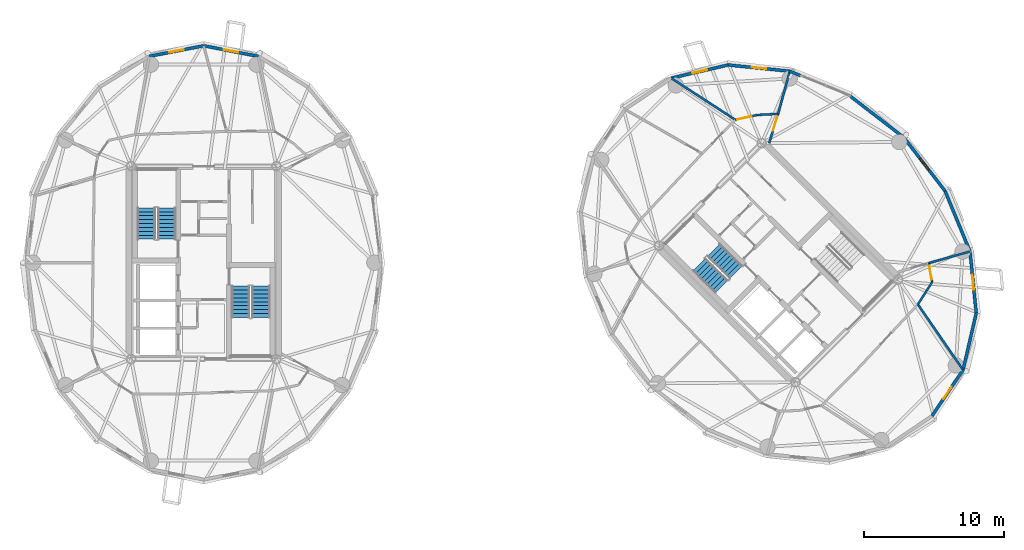
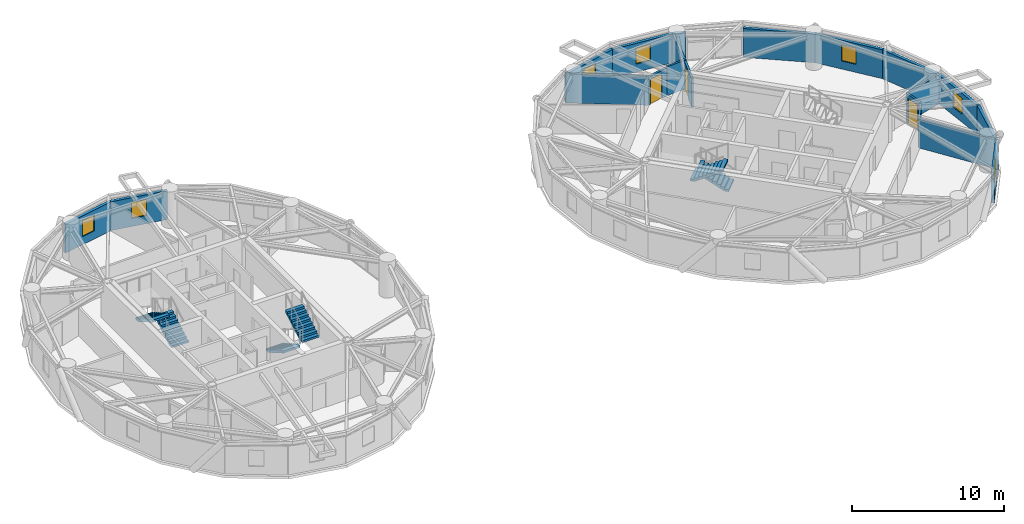
# One storey, part 13 of 16: 20 walls, 7 windows, 6 stair flights, 3 doors, 10 openings, 3 elements without a shape of their own.
"""IFC4 building model written with IfcOpenShell, lengths in metres."""

from ifc_helpers import new_model, si_unit, direction, frame, frame_2d, origin, place, context, subcontext, project, spatial, polyline, rectangle, outline, extrude, source, transform, mapped, material, layer, layer_set, type_object, element, fill, aggregate, save


model = new_model("IFC4")

# Units and contexts
model_context = context("Model", 3, precision=1e-05, world=origin(), true_north=direction((0.0, 1.0)))
body_context = subcontext(model_context, "Body", "Model", "MODEL_VIEW")
ifc_project = project(units=[si_unit("LENGTHUNIT", "METRE"), si_unit("AREAUNIT", "SQUARE_METRE"), si_unit("VOLUMEUNIT", "CUBIC_METRE"), si_unit("PLANEANGLEUNIT", "RADIAN"), si_unit("MASSUNIT", "GRAM", prefix="KILO")], contexts=[model_context])

# Site, building, storey
site_placement = place(None, origin())
site = spatial("IfcSite", under=ifc_project, at=site_placement, CompositionType="ELEMENT")
building_placement = place(site_placement, origin())
building = spatial("IfcBuilding", under=site, at=building_placement, Name="Cununo Teusaquillo Station Towers", CompositionType="ELEMENT")
storey_placement = place(building_placement, frame((0.0, 0.0, 211.2099609375)))
storey = spatial("IfcBuildingStorey", under=building, at=storey_placement, Name="L67", CompositionType="ELEMENT", Elevation=211.2099609375)

# Wall, opening, window
ifc_material_1 = material(Name="Precast concrete C40/50", Category="concrete")
ifc_layer_1 = layer(ifc_material_1, 0.219970703125)
ifc_layer_set_1 = layer_set([ifc_layer_1], Name="Precast concrete C40/50")
wall_type_1 = type_object("IfcWallType", Name="WL-EXT-220", PredefinedType="SOLIDWALL", material=ifc_layer_set_1)
wall_1_placement = place(storey_placement, frame((16.5, 39.969970703125, 0.0), z_axis=(0.0, 0.0, 1.0), x_axis=(0.981700307484, -0.190432419211, 0.0)))
wall_1 = element("IfcWall", 1, at=wall_1_placement, inside=storey, type_object=wall_type_1, Name="L67 Tower A Exterior Facade Wall C04", PredefinedType="SOLIDWALL", context=body_context, shape_type="SweptSolid", body=[
    extrude(rectangle(XDim=3.9755859375, YDim=0.219970703125, at=frame_2d((1.98779296875, 0.0))), origin(), (0.0, 0.0, 1.0), 2.322021484375),
])
shared_shape_1 = source(origin(), body_context, "Body", "SweptSolid", [
    extrude(rectangle(XDim=1.050048828125, YDim=1.300048828125, at=frame_2d((0.52490234375, 0.64990234375))), frame((0.0, 0.119873046875, 0.0), z_axis=(0.0, -1.0, 0.0), x_axis=(1.0, 0.0, 0.0)), (0.0, 0.0, 1.0), 0.239990234375),
])
opening_1_placement = place(wall_1_placement, frame((1.462890625, 0.0, 0.64990234375)))
opening_1 = element("IfcOpeningElement", 2, at=opening_1_placement, cuts=wall_1, Name="Opening WN-04", PredefinedType="OPENING", context=body_context, shape_type="MappedRepresentation", body=[
    mapped(shared_shape_1, transform((0.0, 0.0, 0.0), x_axis=(1.0, 0.0, 0.0), y_axis=(0.0, 1.0, 0.0), z_axis=(0.0, 0.0, 1.0), scale=1.0)),
])
ifc_material_2 = material(Name="Operable acoustic tinted low-E double glazing", Category="glass")
window_type = type_object("IfcWindowType", Name="WIN-BAL-1050", PartitioningType="SINGLE_PANEL", PredefinedType="WINDOW", material=ifc_material_2)
shared_shape_2 = source(origin(), body_context, "Body", "SweptSolid", [
    extrude(rectangle(XDim=1.050048828125, YDim=1.300048828125, at=frame_2d((0.52490234375, 0.64990234375))), frame((0.0, 0.030029296875, 0.0), z_axis=(0.0, -1.0, 0.0), x_axis=(1.0, 0.0, 0.0)), (0.0, 0.0, 1.0), 0.06005859375),
])
window_1_placement = place(opening_1_placement, origin())
window_1 = element("IfcWindow", 3, at=window_1_placement, inside=storey, type_object=window_type, Name="L67 Tower A Facade Window C04", OverallHeight=1.300048828125, OverallWidth=1.050048828125, PartitioningType="SINGLE_PANEL", PredefinedType="WINDOW", context=body_context, shape_type="MappedRepresentation", body=[
    mapped(shared_shape_2, transform((0.0, 0.0, 0.0), x_axis=(1.0, 0.0, 0.0), y_axis=(0.0, 1.0, 0.0), z_axis=(0.0, 0.0, 1.0), scale=1.0)),
])
fill(opening_1, window_1)

wall_2_placement = place(storey_placement, frame((12.59716796875, 39.212890625, 0.0), z_axis=(0.0, 0.0, 1.0), x_axis=(0.981700307484, 0.190432419211, 0.0)))
wall_2 = element("IfcWall", 4, at=wall_2_placement, inside=storey, type_object=wall_type_1, Name="L67 Tower A Exterior Facade Wall C05", PredefinedType="SOLIDWALL", context=body_context, shape_type="SweptSolid", body=[
    extrude(rectangle(XDim=3.9755859375, YDim=0.219970703125, at=frame_2d((1.98779296875, 0.0))), origin(), (0.0, 0.0, 1.0), 2.322021484375),
])
opening_2_placement = place(wall_2_placement, frame((1.462890625, 0.0, 0.64990234375)))
opening_2 = element("IfcOpeningElement", 5, at=opening_2_placement, cuts=wall_2, Name="Opening WN-04", PredefinedType="OPENING", context=body_context, shape_type="MappedRepresentation", body=[
    mapped(shared_shape_1, transform((0.0, 0.0, 0.0), x_axis=(1.0, 0.0, 0.0), y_axis=(0.0, 1.0, 0.0), z_axis=(0.0, 0.0, 1.0), scale=1.0)),
])
window_2_placement = place(opening_2_placement, origin())
window_2 = element("IfcWindow", 6, at=window_2_placement, inside=storey, type_object=window_type, Name="L67 Tower A Facade Window C05", OverallHeight=1.300048828125, OverallWidth=1.050048828125, PartitioningType="SINGLE_PANEL", PredefinedType="WINDOW", context=body_context, shape_type="MappedRepresentation", body=[
    mapped(shared_shape_2, transform((0.0, 0.0, 0.0), x_axis=(1.0, 0.0, 0.0), y_axis=(0.0, 1.0, 0.0), z_axis=(0.0, 0.0, 1.0), scale=1.0)),
])
fill(opening_2, window_2)

# Walls
wall_3_placement = place(storey_placement, frame((62.61328125, 36.373779296875, 0.0), z_axis=(0.0, 0.0, 1.0), x_axis=(0.791998462147, -0.610523083886, 0.0)))
element("IfcWall", 7, at=wall_3_placement, inside=storey, type_object=wall_type_1, Name="L67 Tower B Exterior Facade Wall C00", PredefinedType="SOLIDWALL", context=body_context, shape_type="SweptSolid", body=[
    extrude(rectangle(XDim=4.8203125, YDim=0.219970703125, at=frame_2d((2.41015625, 0.0))), origin(), (0.0, 0.0, 1.0), 2.322021484375),
])
wall_4_placement = place(storey_placement, frame((58.29541015625, 38.15478515625, 0.0), z_axis=(0.0, 0.0, 1.0), x_axis=(0.924515260676, -0.381145028536, 0.0)))
element("IfcWall", 8, at=wall_4_placement, inside=storey, type_object=wall_type_1, Name="L67 Tower B Column Pier Cladding Wall C01-PA", PredefinedType="SOLIDWALL", context=body_context, shape_type="SweptSolid", body=[
    extrude(rectangle(XDim=0.869873046875, YDim=0.219970703125, at=frame_2d((0.43505859375, 0.0))), origin(), (0.0, 0.0, 1.0), 2.322021484375),
])

# Wall, opening, window
wall_5_placement = place(storey_placement, frame((53.899658203125, 38.59912109375, 0.0), z_axis=(0.0, 0.0, 1.0), x_axis=(0.994929930991, -0.100570534541, 0.0)))
wall_5 = element("IfcWall", 9, at=wall_5_placement, inside=storey, type_object=wall_type_1, Name="L67 Tower B Exterior Facade Wall C02", PredefinedType="SOLIDWALL", context=body_context, shape_type="SweptSolid", body=[
    extrude(rectangle(XDim=4.418212890625, YDim=0.219970703125, at=frame_2d((2.208984375, 0.0))), origin(), (0.0, 0.0, 1.0), 2.322021484375),
])
opening_3_placement = place(wall_5_placement, frame((1.68408203125, 0.0, 0.64990234375)))
opening_3 = element("IfcOpeningElement", 10, at=opening_3_placement, cuts=wall_5, Name="Opening WN-04", PredefinedType="OPENING", context=body_context, shape_type="MappedRepresentation", body=[
    mapped(shared_shape_1, transform((0.0, 0.0, 0.0), x_axis=(1.0, 0.0, 0.0), y_axis=(0.0, 1.0, 0.0), z_axis=(0.0, 0.0, 1.0), scale=1.0)),
])
window_3_placement = place(opening_3_placement, origin())
window_3 = element("IfcWindow", 11, at=window_3_placement, inside=storey, type_object=window_type, Name="L67 Tower B Facade Window C02", OverallHeight=1.300048828125, OverallWidth=1.050048828125, PartitioningType="SINGLE_PANEL", PredefinedType="WINDOW", context=body_context, shape_type="MappedRepresentation", body=[
    mapped(shared_shape_2, transform((0.0, 0.0, 0.0), x_axis=(1.0, 0.0, 0.0), y_axis=(0.0, 1.0, 0.0), z_axis=(0.0, 0.0, 1.0), scale=1.0)),
])
fill(opening_3, window_3)

wall_6_placement = place(storey_placement, frame((49.856201171875, 37.663330078125, 0.0), z_axis=(0.0, 0.0, 1.0), x_axis=(0.974249228678, 0.225473813158, 0.0)))
wall_6 = element("IfcWall", 12, at=wall_6_placement, inside=storey, type_object=wall_type_1, Name="L67 Tower B Exterior Facade Wall C03", PredefinedType="SOLIDWALL", context=body_context, shape_type="SweptSolid", body=[
    extrude(rectangle(XDim=4.150390625, YDim=0.219970703125, at=frame_2d((2.0751953125, 0.0))), origin(), (0.0, 0.0, 1.0), 2.322021484375),
])
opening_4_placement = place(wall_6_placement, frame((1.550048828125, 0.0, 0.64990234375)))
opening_4 = element("IfcOpeningElement", 13, at=opening_4_placement, cuts=wall_6, Name="Opening WN-04", PredefinedType="OPENING", context=body_context, shape_type="MappedRepresentation", body=[
    mapped(shared_shape_1, transform((0.0, 0.0, 0.0), x_axis=(1.0, 0.0, 0.0), y_axis=(0.0, 1.0, 0.0), z_axis=(0.0, 0.0, 1.0), scale=1.0)),
])
window_4_placement = place(opening_4_placement, origin())
window_4 = element("IfcWindow", 14, at=window_4_placement, inside=storey, type_object=window_type, Name="L67 Tower B Facade Window C03", OverallHeight=1.300048828125, OverallWidth=1.050048828125, PartitioningType="SINGLE_PANEL", PredefinedType="WINDOW", context=body_context, shape_type="MappedRepresentation", body=[
    mapped(shared_shape_2, transform((0.0, 0.0, 0.0), x_axis=(1.0, 0.0, 0.0), y_axis=(0.0, 1.0, 0.0), z_axis=(0.0, 0.0, 1.0), scale=1.0)),
])
fill(opening_4, window_4)

wall_7_placement = place(storey_placement, frame((70.663330078125, 16.856201171875, 0.0), z_axis=(0.0, 0.0, 1.0), x_axis=(-0.559495003079, -0.828833723692, 0.0)))
wall_7 = element("IfcWall", 15, at=wall_7_placement, inside=storey, type_object=wall_type_1, Name="L67 Tower B Exterior Facade Wall C15", PredefinedType="SOLIDWALL", context=body_context, shape_type="SweptSolid", body=[
    extrude(rectangle(XDim=3.9755859375, YDim=0.219970703125, at=frame_2d((1.98779296875, 0.0))), origin(), (0.0, 0.0, 1.0), 2.322021484375),
])
opening_5_placement = place(wall_7_placement, frame((1.462890625, 0.0, 0.64990234375)))
opening_5 = element("IfcOpeningElement", 16, at=opening_5_placement, cuts=wall_7, Name="Opening WN-04", PredefinedType="OPENING", context=body_context, shape_type="MappedRepresentation", body=[
    mapped(shared_shape_1, transform((0.0, 0.0, 0.0), x_axis=(1.0, 0.0, 0.0), y_axis=(0.0, 1.0, 0.0), z_axis=(0.0, 0.0, 1.0), scale=1.0)),
])
window_5_placement = place(opening_5_placement, origin())
window_5 = element("IfcWindow", 17, at=window_5_placement, inside=storey, type_object=window_type, Name="L67 Tower B Facade Window C15", OverallHeight=1.300048828125, OverallWidth=1.050048828125, PartitioningType="SINGLE_PANEL", PredefinedType="WINDOW", context=body_context, shape_type="MappedRepresentation", body=[
    mapped(shared_shape_2, transform((0.0, 0.0, 0.0), x_axis=(1.0, 0.0, 0.0), y_axis=(0.0, 1.0, 0.0), z_axis=(0.0, 0.0, 1.0), scale=1.0)),
])
fill(opening_5, window_5)

# Wall
wall_8_placement = place(storey_placement, frame((71.59912109375, 20.899658203125, 0.0), z_axis=(0.0, 0.0, 1.0), x_axis=(-0.225473813158, -0.974249228678, 0.0)))
element("IfcWall", 18, at=wall_8_placement, inside=storey, type_object=wall_type_1, Name="L67 Tower B Exterior Facade Wall C16", PredefinedType="SOLIDWALL", context=body_context, shape_type="SweptSolid", body=[
    extrude(rectangle(XDim=4.150390625, YDim=0.219970703125, at=frame_2d((2.0751953125, 0.0))), origin(), (0.0, 0.0, 1.0), 2.322021484375),
])

# Wall, opening, window
wall_9_placement = place(storey_placement, frame((71.15478515625, 25.29541015625, 0.0), z_axis=(0.0, 0.0, 1.0), x_axis=(0.100570534541, -0.994929930991, 0.0)))
wall_9 = element("IfcWall", 19, at=wall_9_placement, inside=storey, type_object=wall_type_1, Name="L67 Tower B Exterior Facade Wall C17", PredefinedType="SOLIDWALL", context=body_context, shape_type="SweptSolid", body=[
    extrude(rectangle(XDim=4.418212890625, YDim=0.219970703125, at=frame_2d((2.208984375, 0.0))), origin(), (0.0, 0.0, 1.0), 2.322021484375),
])
opening_6_placement = place(wall_9_placement, frame((1.68408203125, 0.0, 0.64990234375)))
opening_6 = element("IfcOpeningElement", 20, at=opening_6_placement, cuts=wall_9, Name="Opening WN-04", PredefinedType="OPENING", context=body_context, shape_type="MappedRepresentation", body=[
    mapped(shared_shape_1, transform((0.0, 0.0, 0.0), x_axis=(1.0, 0.0, 0.0), y_axis=(0.0, 1.0, 0.0), z_axis=(0.0, 0.0, 1.0), scale=1.0)),
])
window_6_placement = place(opening_6_placement, origin())
window_6 = element("IfcWindow", 21, at=window_6_placement, inside=storey, type_object=window_type, Name="L67 Tower B Facade Window C17", OverallHeight=1.300048828125, OverallWidth=1.050048828125, PartitioningType="SINGLE_PANEL", PredefinedType="WINDOW", context=body_context, shape_type="MappedRepresentation", body=[
    mapped(shared_shape_2, transform((0.0, 0.0, 0.0), x_axis=(1.0, 0.0, 0.0), y_axis=(0.0, 1.0, 0.0), z_axis=(0.0, 0.0, 1.0), scale=1.0)),
])
fill(opening_6, window_6)

# Wall
wall_10_placement = place(storey_placement, frame((69.373779296875, 29.61328125, 0.0), z_axis=(0.0, 0.0, 1.0), x_axis=(0.381309704956, -0.924447353237, 0.0)))
element("IfcWall", 22, at=wall_10_placement, inside=storey, type_object=wall_type_1, Name="L67 Tower B Exterior Facade Wall C18", PredefinedType="SOLIDWALL", context=body_context, shape_type="SweptSolid", body=[
    extrude(rectangle(XDim=4.670654296875, YDim=0.219970703125, at=frame_2d((2.33544921875, 0.0))), origin(), (0.0, 0.0, 1.0), 2.322021484375),
])

# Wall, opening, window
wall_11_placement = place(storey_placement, frame((66.430908203125, 33.430908203125, 0.0), z_axis=(0.0, 0.0, 1.0), x_axis=(0.610523083886, -0.791998462147, 0.0)))
wall_11 = element("IfcWall", 23, at=wall_11_placement, inside=storey, type_object=wall_type_1, Name="L67 Tower B Exterior Facade Wall C19", PredefinedType="SOLIDWALL", context=body_context, shape_type="SweptSolid", body=[
    extrude(rectangle(XDim=4.8203125, YDim=0.219970703125, at=frame_2d((2.41015625, 0.0))), origin(), (0.0, 0.0, 1.0), 2.322021484375),
])
opening_7_placement = place(wall_11_placement, frame((1.885009765625, 0.0, 0.64990234375)))
opening_7 = element("IfcOpeningElement", 24, at=opening_7_placement, cuts=wall_11, Name="Opening WN-04", PredefinedType="OPENING", context=body_context, shape_type="MappedRepresentation", body=[
    mapped(shared_shape_1, transform((0.0, 0.0, 0.0), x_axis=(1.0, 0.0, 0.0), y_axis=(0.0, 1.0, 0.0), z_axis=(0.0, 0.0, 1.0), scale=1.0)),
])
window_7_placement = place(opening_7_placement, origin())
window_7 = element("IfcWindow", 25, at=window_7_placement, inside=storey, type_object=window_type, Name="L67 Tower B Facade Window C19", OverallHeight=1.300048828125, OverallWidth=1.050048828125, PartitioningType="SINGLE_PANEL", PredefinedType="WINDOW", context=body_context, shape_type="MappedRepresentation", body=[
    mapped(shared_shape_2, transform((0.0, 0.0, 0.0), x_axis=(1.0, 0.0, 0.0), y_axis=(0.0, 1.0, 0.0), z_axis=(0.0, 0.0, 1.0), scale=1.0)),
])
fill(opening_7, window_7)

# Wall
ifc_material_3 = material(Name="Fire-rated gypsum plasterboard partition assembly", Category="gypsum")
ifc_layer_2 = layer(ifc_material_3, 0.14990234375)
ifc_layer_set_2 = layer_set([ifc_layer_2], Name="Fire-rated gypsum plasterboard partition assembly")
wall_type_2 = type_object("IfcWallType", Name="WL-PART-150", PredefinedType="PARTITIONING", material=ifc_layer_set_2)
wall_12_placement = place(storey_placement, frame((57.466796875, 35.111328125, 0.0), z_axis=(0.0, 0.0, 1.0), x_axis=(-0.998691757323, -0.051134859488, 0.0)))
element("IfcWall", 26, at=wall_12_placement, inside=storey, type_object=wall_type_2, Name="L67 Tower B Corridor Ring Wall C02", PredefinedType="PARTITIONING", context=body_context, shape_type="SweptSolid", body=[
    extrude(rectangle(XDim=1.48486328125, YDim=0.14990234375, at=frame_2d((0.742431640625, 0.0))), origin(), (0.0, 0.0, 1.0), 2.322021484375),
])

# Wall, opening, door
wall_13_placement = place(storey_placement, frame((55.98388671875, 35.035400390625, 0.0), z_axis=(0.0, 0.0, 1.0), x_axis=(-0.975290305708, -0.22092718165, 0.0)))
wall_13 = element("IfcWall", 27, at=wall_13_placement, inside=storey, type_object=wall_type_2, Name="L67 Tower B Corridor Ring Wall C03", PredefinedType="PARTITIONING", context=body_context, shape_type="SweptSolid", body=[
    extrude(rectangle(XDim=1.596923828125, YDim=0.14990234375, at=frame_2d((0.79833984375, 0.0))), origin(), (0.0, 0.0, 1.0), 2.255126953125),
])
shared_shape_3 = source(origin(), body_context, "Body", "SweptSolid", [
    extrude(rectangle(XDim=1.050048828125, YDim=2.014892578125, at=frame_2d((0.52490234375, 1.00732421875))), frame((0.0, 0.0849609375, 0.0), z_axis=(0.0, -1.0, 0.0), x_axis=(1.0, 0.0, 0.0)), (0.0, 0.0, 1.0), 0.169921875),
])
opening_8_placement = place(wall_13_placement, frame((0.4267578125, 0.0, 0.0)))
opening_8 = element("IfcOpeningElement", 28, at=opening_8_placement, cuts=wall_13, Name="Opening D-SU1", PredefinedType="OPENING", context=body_context, shape_type="MappedRepresentation", body=[
    mapped(shared_shape_3, transform((0.0, 0.0, 0.0), x_axis=(1.0, 0.0, 0.0), y_axis=(0.0, 1.0, 0.0), z_axis=(0.0, 0.0, 1.0), scale=1.0)),
])
ifc_material_4 = material(Name="Acoustic solid-core hardwood leaf assembly", Category="wood")
door_type_1 = type_object("IfcDoorType", Name="DR-SUITE-1050", OperationType="NOTDEFINED", PredefinedType="DOOR", material=ifc_material_4)
shared_shape_4 = source(origin(), body_context, "Body", "SweptSolid", [
    extrude(rectangle(XDim=1.050048828125, YDim=2.014892578125, at=frame_2d((0.52490234375, 1.00732421875))), frame((0.0, 0.02490234375, 0.0), z_axis=(0.0, -1.0, 0.0), x_axis=(1.0, 0.0, 0.0)), (0.0, 0.0, 1.0), 0.050048828125),
])
door_1_placement = place(opening_8_placement, origin())
door_1 = element("IfcDoor", 29, at=door_1_placement, inside=storey, type_object=door_type_1, Name="L67 Tower B Andean Climate Foundation HQ Entrance Door", OperationType="SINGLE_SWING_RIGHT", OverallHeight=2.014892578125, OverallWidth=1.050048828125, PredefinedType="DOOR", context=body_context, shape_type="MappedRepresentation", body=[
    mapped(shared_shape_4, transform((0.0, 0.0, 0.0), x_axis=(1.0, 0.0, 0.0), y_axis=(0.0, 1.0, 0.0), z_axis=(0.0, 0.0, 1.0), scale=1.0)),
])
fill(opening_8, door_1)

# Wall
wall_14_placement = place(storey_placement, frame((67.4345703125, 21.521484375, 0.0), z_axis=(0.0, 0.0, 1.0), x_axis=(0.540777197838, 0.841165870859, 0.0)))
element("IfcWall", 30, at=wall_14_placement, inside=storey, type_object=wall_type_2, Name="L67 Tower B Corridor Ring Wall C16", PredefinedType="PARTITIONING", context=body_context, shape_type="SweptSolid", body=[
    extrude(rectangle(XDim=1.887939453125, YDim=0.14990234375, at=frame_2d((0.94384765625, 0.0))), origin(), (0.0, 0.0, 1.0), 2.255126953125),
])

# Wall, opening, door
wall_15_placement = place(storey_placement, frame((68.45556640625, 23.109619140625, 0.0), z_axis=(0.0, 0.0, 1.0), x_axis=(-0.1772522795, 0.984165448191, 0.0)))
wall_15 = element("IfcWall", 31, at=wall_15_placement, inside=storey, type_object=wall_type_2, Name="L67 Tower B Corridor Ring Wall C17", PredefinedType="PARTITIONING", context=body_context, shape_type="SweptSolid", body=[
    extrude(rectangle(XDim=1.381591796875, YDim=0.14990234375, at=frame_2d((0.69091796875, 0.0))), origin(), (0.0, 0.0, 1.0), 2.322021484375),
])
shared_shape_5 = source(origin(), body_context, "Body", "SweptSolid", [
    extrude(rectangle(XDim=1.0, YDim=2.014892578125, at=frame_2d((0.5, 1.00732421875))), frame((0.0, 0.0849609375, 0.0), z_axis=(0.0, -1.0, 0.0), x_axis=(1.0, 0.0, 0.0)), (0.0, 0.0, 1.0), 0.169921875),
])
opening_9_placement = place(wall_15_placement, frame((0.19091796875, 0.0, 0.0)))
opening_9 = element("IfcOpeningElement", 32, at=opening_9_placement, cuts=wall_15, Name="Opening D-AC1", PredefinedType="OPENING", context=body_context, shape_type="MappedRepresentation", body=[
    mapped(shared_shape_5, transform((0.0, 0.0, 0.0), x_axis=(1.0, 0.0, 0.0), y_axis=(0.0, 1.0, 0.0), z_axis=(0.0, 0.0, 1.0), scale=1.0)),
])
ifc_material_5 = material(Name="Acoustic solid-core hardwood leaf assembly", Category="wood")
door_type_2 = type_object("IfcDoorType", Name="DR-ACC-1000", OperationType="NOTDEFINED", PredefinedType="DOOR", material=ifc_material_5)
shared_shape_6 = source(origin(), body_context, "Body", "SweptSolid", [
    extrude(rectangle(XDim=1.0, YDim=2.014892578125, at=frame_2d((0.5, 1.00732421875))), frame((0.0, 0.02490234375, 0.0), z_axis=(0.0, -1.0, 0.0), x_axis=(1.0, 0.0, 0.0)), (0.0, 0.0, 1.0), 0.050048828125),
])
door_2_placement = place(opening_9_placement, origin())
door_2 = element("IfcDoor", 33, at=door_2_placement, inside=storey, type_object=door_type_2, Name="L67 Tower B Public Accessible Restroom WC Entrance Door", OperationType="SINGLE_SWING_LEFT", OverallHeight=2.014892578125, OverallWidth=1.0, PredefinedType="DOOR", context=body_context, shape_type="MappedRepresentation", body=[
    mapped(shared_shape_6, transform((0.0, 0.0, 0.0), x_axis=(1.0, 0.0, 0.0), y_axis=(0.0, 1.0, 0.0), z_axis=(0.0, 0.0, 1.0), scale=1.0)),
])
fill(opening_9, door_2)

# Walls
ifc_material_6 = material(Name="Fire-rated gypsum plasterboard partition assembly", Category="gypsum")
ifc_layer_3 = layer(ifc_material_6, 0.159912109375)
ifc_layer_set_3 = layer_set([ifc_layer_3], Name="Fire-rated gypsum plasterboard partition assembly")
wall_type_3 = type_object("IfcWallType", Name="WL-PART-160", PredefinedType="PARTITIONING", material=ifc_layer_set_3)
wall_16_placement = place(storey_placement, frame((57.466796875, 35.111328125, 0.0), z_axis=(0.0, 0.0, 1.0), x_axis=(0.263354670488, 0.964699081337, 0.0)))
element("IfcWall", 34, at=wall_16_placement, inside=storey, type_object=wall_type_3, Name="L67 Tower B Radial Suite Partition R01", PredefinedType="PARTITIONING", context=body_context, shape_type="SweptSolid", body=[
    extrude(rectangle(XDim=3.13427734375, YDim=0.159912109375, at=frame_2d((1.567138671875, 0.0))), origin(), (0.0, 0.0, 1.0), 2.322021484375),
])
wall_17_placement = place(storey_placement, frame((54.426513671875, 34.6826171875, 0.0), z_axis=(0.0, 0.0, 1.0), x_axis=(-0.83860663594, 0.544737469023, 0.0)))
element("IfcWall", 35, at=wall_17_placement, inside=storey, type_object=wall_type_3, Name="L67 Tower B Radial Suite Partition R02", PredefinedType="PARTITIONING", context=body_context, shape_type="SweptSolid", body=[
    extrude(rectangle(XDim=5.439208984375, YDim=0.159912109375, at=frame_2d((2.7197265625, 0.0))), origin(), (0.0, 0.0, 1.0), 2.322021484375),
])
wall_18_placement = place(storey_placement, frame((67.4345703125, 21.521484375, 0.0), z_axis=(0.0, 0.0, 1.0), x_axis=(0.567700677576, -0.823235045828, 0.0)))
element("IfcWall", 36, at=wall_18_placement, inside=storey, type_object=wall_type_3, Name="L67 Tower B Radial Suite Partition R08", PredefinedType="PARTITIONING", context=body_context, shape_type="SweptSolid", body=[
    extrude(rectangle(XDim=5.656005859375, YDim=0.159912109375, at=frame_2d((2.828125, 0.0))), origin(), (0.0, 0.0, 1.0), 2.322021484375),
])
wall_19_placement = place(storey_placement, frame((68.210693359375, 24.46923828125, 0.0), z_axis=(0.0, 0.0, 1.0), x_axis=(0.962605107736, 0.270908483735, 0.0)))
element("IfcWall", 37, at=wall_19_placement, inside=storey, type_object=wall_type_3, Name="L67 Tower B Radial Suite Partition R09", PredefinedType="PARTITIONING", context=body_context, shape_type="SweptSolid", body=[
    extrude(rectangle(XDim=3.037841796875, YDim=0.159912109375, at=frame_2d((1.51904296875, 0.0))), origin(), (0.0, 0.0, 1.0), 2.322021484375),
])

# Wall, opening, door
wall_20_placement = place(storey_placement, frame((56.828125, 33.0205078125, 0.0), z_axis=(0.0, 0.0, 1.0), x_axis=(0.292139093972, 0.956375841274, 0.0)))
wall_20 = element("IfcWall", 38, at=wall_20_placement, inside=storey, type_object=wall_type_3, Name="L67 Tower B East Salon Corridor Portal Wall NE", PredefinedType="PARTITIONING", context=body_context, shape_type="SweptSolid", body=[
    extrude(rectangle(XDim=2.186279296875, YDim=0.159912109375, at=frame_2d((1.09326171875, 0.0))), origin(), (0.0, 0.0, 1.0), 2.255126953125),
])
shared_shape_7 = source(origin(), body_context, "Body", "SweptSolid", [
    extrude(rectangle(XDim=1.050048828125, YDim=2.014892578125, at=frame_2d((0.52490234375, 1.00732421875))), frame((0.0, 0.08984375, 0.0), z_axis=(0.0, -1.0, 0.0), x_axis=(1.0, 0.0, 0.0)), (0.0, 0.0, 1.0), 0.179931640625),
])
opening_10_placement = place(wall_20_placement, frame((0.93603515625, 0.0, 0.0)))
opening_10 = element("IfcOpeningElement", 39, at=opening_10_placement, cuts=wall_20, Name="Opening D-SU1", PredefinedType="OPENING", context=body_context, shape_type="MappedRepresentation", body=[
    mapped(shared_shape_7, transform((0.0, 0.0, 0.0), x_axis=(1.0, 0.0, 0.0), y_axis=(0.0, 1.0, 0.0), z_axis=(0.0, 0.0, 1.0), scale=1.0)),
])
door_3_placement = place(opening_10_placement, origin())
door_3 = element("IfcDoor", 40, at=door_3_placement, inside=storey, type_object=door_type_1, Name="L67 Tower B East Panorama Sky Salon Door NE", OperationType="SINGLE_SWING_RIGHT", OverallHeight=2.014892578125, OverallWidth=1.050048828125, PredefinedType="DOOR", context=body_context, shape_type="MappedRepresentation", body=[
    mapped(shared_shape_4, transform((0.0, 0.0, 0.0), x_axis=(1.0, 0.0, 0.0), y_axis=(0.0, 1.0, 0.0), z_axis=(0.0, 0.0, 1.0), scale=1.0)),
])
fill(opening_10, door_3)

# Stair, stair flights
ifc_material_7 = material(Name="Concrete C50/60", Category="concrete")
stair_type = type_object("IfcStairType", Name="ST-TWR-1300", PredefinedType="HALF_TURN_STAIR", material=ifc_material_7)
stair_1_placement = place(storey_placement, origin())
stair_1 = element("IfcStair", 41, at=stair_1_placement, inside=storey, type_object=stair_type, Name="L67 Tower A Protected Core Exit Stair 1", PredefinedType="HALF_TURN_STAIR")
ifc_material_8 = material(Name="Concrete C50/60", Category="concrete")
stair_flight_type = type_object("IfcStairFlightType", Name="SFL-TWR-1300", PredefinedType="STRAIGHT", material=ifc_material_8)
stair_flight_1_placement = place(storey_placement, frame((13.8701171875, 26.169921875, 0.0), z_axis=(0.0, 0.0, 1.0), x_axis=(0.0, 1.0, 0.0)))
stair_flight_1 = element("IfcStairFlight", 42, at=stair_flight_1_placement, type_object=stair_flight_type, Name="ST-T1-1 flight 1", NumberOfRisers=9, NumberOfTreads=8, PredefinedType="STRAIGHT", RiserHeight=0.161666667, TreadLength=0.28, context=body_context, shape_type="SweptSolid", body=[
    extrude(outline(polyline([(0.0, 0.0), (0.0, 0.16162109375), (0.280029296875, 0.16162109375), (0.280029296875, 0.3232421875), (0.56005859375, 0.3232421875), (0.56005859375, 0.485107421875), (0.840087890625, 0.485107421875), (0.840087890625, 0.646728515625), (1.1201171875, 0.646728515625), (1.1201171875, 0.808349609375), (1.39990234375, 0.808349609375), (1.39990234375, 0.969970703125), (1.679931640625, 0.969970703125), (1.679931640625, 1.131591796875), (1.9599609375, 1.131591796875), (1.9599609375, 1.293212890625), (2.239990234375, 1.293212890625), (2.239990234375, 1.455078125), (2.239990234375, 1.1201171875), (0.2998046875, 0.0), (0.0, 0.0)])), frame((0.0, 0.64990234375, 0.0), z_axis=(0.0, -1.0, 0.0), x_axis=(1.0, 0.0, 0.0)), (0.0, 0.0, 1.0), 1.300048828125),
])
stair_flight_2_placement = place(storey_placement, frame((12.409912109375, 28.409912109375, 1.455078125), z_axis=(0.0, 0.0, 1.0), x_axis=(0.0, -1.0, 0.0)))
stair_flight_2 = element("IfcStairFlight", 43, at=stair_flight_2_placement, type_object=stair_flight_type, Name="ST-T1-1 flight 2", NumberOfRisers=9, NumberOfTreads=8, PredefinedType="STRAIGHT", RiserHeight=0.161666667, TreadLength=0.28, context=body_context, shape_type="SweptSolid", body=[
    extrude(outline(polyline([(0.0, 0.0), (0.0, 0.16162109375), (0.280029296875, 0.16162109375), (0.280029296875, 0.3232421875), (0.56005859375, 0.3232421875), (0.56005859375, 0.485107421875), (0.840087890625, 0.485107421875), (0.840087890625, 0.646728515625), (1.1201171875, 0.646728515625), (1.1201171875, 0.808349609375), (1.39990234375, 0.808349609375), (1.39990234375, 0.969970703125), (1.679931640625, 0.969970703125), (1.679931640625, 1.131591796875), (1.9599609375, 1.131591796875), (1.9599609375, 1.293212890625), (2.239990234375, 1.293212890625), (2.239990234375, 1.455078125), (2.239990234375, 1.1201171875), (0.2998046875, 0.0), (0.0, 0.0)])), frame((0.0, 0.64990234375, 0.0), z_axis=(0.0, -1.0, 0.0), x_axis=(1.0, 0.0, 0.0)), (0.0, 0.0, 1.0), 1.300048828125),
])
aggregate(stair_1, [stair_flight_1, stair_flight_2])

stair_2_placement = place(storey_placement, origin())
stair_2 = element("IfcStair", 44, at=stair_2_placement, inside=storey, type_object=stair_type, Name="L67 Tower A Protected Core Exit Stair 2", PredefinedType="HALF_TURN_STAIR")
stair_flight_3_placement = place(storey_placement, frame((19.1298828125, 22.830078125, 0.0), z_axis=(0.0, 0.0, 1.0), x_axis=(0.0, -1.0, 0.0)))
stair_flight_3 = element("IfcStairFlight", 45, at=stair_flight_3_placement, type_object=stair_flight_type, Name="ST-T1-2 flight 1", NumberOfRisers=9, NumberOfTreads=8, PredefinedType="STRAIGHT", RiserHeight=0.161666667, TreadLength=0.28, context=body_context, shape_type="SweptSolid", body=[
    extrude(outline(polyline([(0.0, 0.0), (0.0, 0.16162109375), (0.280029296875, 0.16162109375), (0.280029296875, 0.3232421875), (0.56005859375, 0.3232421875), (0.56005859375, 0.485107421875), (0.840087890625, 0.485107421875), (0.840087890625, 0.646728515625), (1.1201171875, 0.646728515625), (1.1201171875, 0.808349609375), (1.39990234375, 0.808349609375), (1.39990234375, 0.969970703125), (1.679931640625, 0.969970703125), (1.679931640625, 1.131591796875), (1.9599609375, 1.131591796875), (1.9599609375, 1.293212890625), (2.239990234375, 1.293212890625), (2.239990234375, 1.455078125), (2.239990234375, 1.1201171875), (0.2998046875, 0.0), (0.0, 0.0)])), frame((0.0, 0.64990234375, 0.0), z_axis=(0.0, -1.0, 0.0), x_axis=(1.0, 0.0, 0.0)), (0.0, 0.0, 1.0), 1.300048828125),
])
stair_flight_4_placement = place(storey_placement, frame((20.590087890625, 20.590087890625, 1.455078125), z_axis=(0.0, 0.0, 1.0), x_axis=(0.0, 1.0, 0.0)))
stair_flight_4 = element("IfcStairFlight", 46, at=stair_flight_4_placement, type_object=stair_flight_type, Name="ST-T1-2 flight 2", NumberOfRisers=9, NumberOfTreads=8, PredefinedType="STRAIGHT", RiserHeight=0.161666667, TreadLength=0.28, context=body_context, shape_type="SweptSolid", body=[
    extrude(outline(polyline([(0.0, 0.0), (0.0, 0.16162109375), (0.280029296875, 0.16162109375), (0.280029296875, 0.3232421875), (0.56005859375, 0.3232421875), (0.56005859375, 0.485107421875), (0.840087890625, 0.485107421875), (0.840087890625, 0.646728515625), (1.1201171875, 0.646728515625), (1.1201171875, 0.808349609375), (1.39990234375, 0.808349609375), (1.39990234375, 0.969970703125), (1.679931640625, 0.969970703125), (1.679931640625, 1.131591796875), (1.9599609375, 1.131591796875), (1.9599609375, 1.293212890625), (2.239990234375, 1.293212890625), (2.239990234375, 1.455078125), (2.239990234375, 1.1201171875), (0.2998046875, 0.0), (0.0, 0.0)])), frame((0.0, 0.64990234375, 0.0), z_axis=(0.0, -1.0, 0.0), x_axis=(1.0, 0.0, 0.0)), (0.0, 0.0, 1.0), 1.300048828125),
])
aggregate(stair_2, [stair_flight_3, stair_flight_4])

stair_3_placement = place(storey_placement, origin())
stair_3 = element("IfcStair", 47, at=stair_3_placement, inside=storey, type_object=stair_type, Name="L67 Tower B Protected Core Exit Stair 1", PredefinedType="HALF_TURN_STAIR")
stair_flight_5_placement = place(storey_placement, frame((54.45947265625, 23.8212890625, 0.0), z_axis=(0.0, 0.0, 1.0), x_axis=(-0.707106781187, 0.707106781187, 0.0)))
stair_flight_5 = element("IfcStairFlight", 48, at=stair_flight_5_placement, type_object=stair_flight_type, Name="ST-T2-1 flight 1", NumberOfRisers=9, NumberOfTreads=8, PredefinedType="STRAIGHT", RiserHeight=0.161666667, TreadLength=0.28, context=body_context, shape_type="SweptSolid", body=[
    extrude(outline(polyline([(0.0, 0.0), (0.0, 0.16162109375), (0.280029296875, 0.16162109375), (0.280029296875, 0.3232421875), (0.56005859375, 0.3232421875), (0.56005859375, 0.485107421875), (0.840087890625, 0.485107421875), (0.840087890625, 0.646728515625), (1.1201171875, 0.646728515625), (1.1201171875, 0.808349609375), (1.39990234375, 0.808349609375), (1.39990234375, 0.969970703125), (1.679931640625, 0.969970703125), (1.679931640625, 1.131591796875), (1.9599609375, 1.131591796875), (1.9599609375, 1.293212890625), (2.239990234375, 1.293212890625), (2.239990234375, 1.455078125), (2.239990234375, 1.1201171875), (0.2998046875, 0.0), (0.0, 0.0)])), frame((0.0, 0.64990234375, 0.0), z_axis=(0.0, -1.0, 0.0), x_axis=(1.0, 0.0, 0.0)), (0.0, 0.0, 1.0), 1.300048828125),
])
stair_flight_6_placement = place(storey_placement, frame((51.84326171875, 24.372802734375, 1.455078125), z_axis=(0.0, 0.0, 1.0), x_axis=(0.707106781187, -0.707106781187, 0.0)))
stair_flight_6 = element("IfcStairFlight", 49, at=stair_flight_6_placement, type_object=stair_flight_type, Name="ST-T2-1 flight 2", NumberOfRisers=9, NumberOfTreads=8, PredefinedType="STRAIGHT", RiserHeight=0.161666667, TreadLength=0.28, context=body_context, shape_type="SweptSolid", body=[
    extrude(outline(polyline([(0.0, 0.0), (0.0, 0.16162109375), (0.280029296875, 0.16162109375), (0.280029296875, 0.3232421875), (0.56005859375, 0.3232421875), (0.56005859375, 0.485107421875), (0.840087890625, 0.485107421875), (0.840087890625, 0.646728515625), (1.1201171875, 0.646728515625), (1.1201171875, 0.808349609375), (1.39990234375, 0.808349609375), (1.39990234375, 0.969970703125), (1.679931640625, 0.969970703125), (1.679931640625, 1.131591796875), (1.9599609375, 1.131591796875), (1.9599609375, 1.293212890625), (2.239990234375, 1.293212890625), (2.239990234375, 1.455078125), (2.239990234375, 1.1201171875), (0.2998046875, 0.0), (0.0, 0.0)])), frame((0.0, 0.64990234375, 0.0), z_axis=(0.0, -1.0, 0.0), x_axis=(1.0, 0.0, 0.0)), (0.0, 0.0, 1.0), 1.300048828125),
])
aggregate(stair_3, [stair_flight_5, stair_flight_6])

save(model, "model.ifc")
